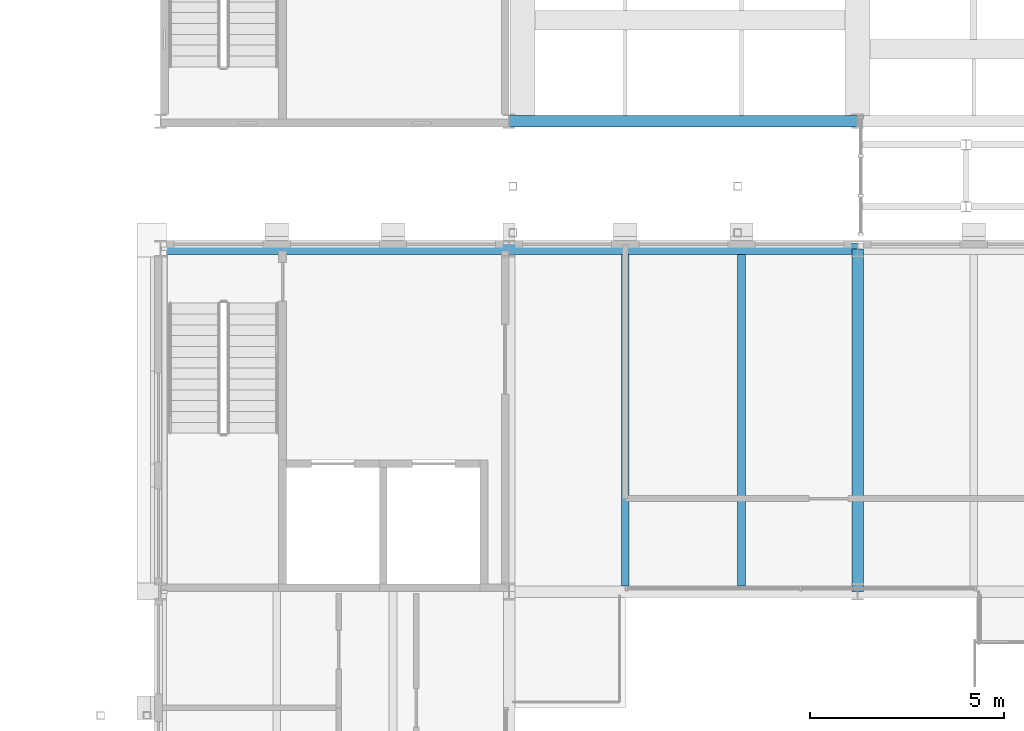
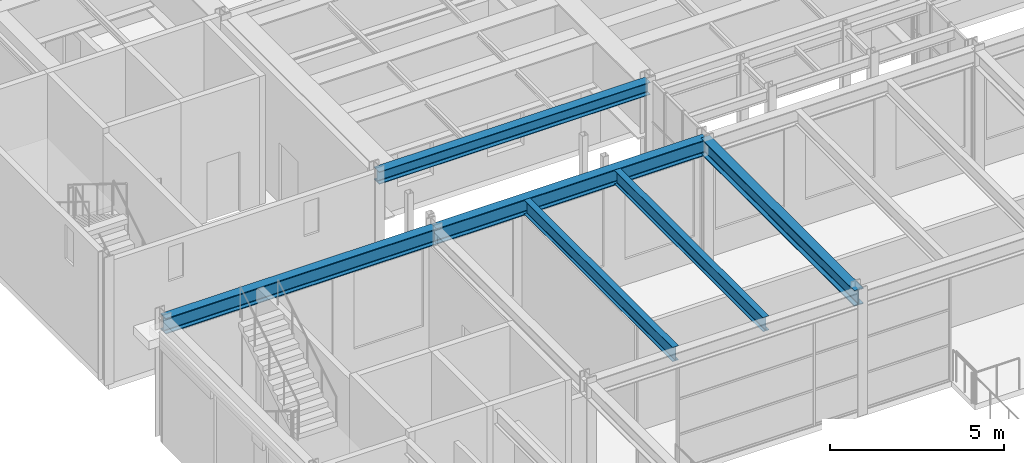
# One storey, part 60 of 153: 6 beams.
"""IFC4 building model written with IfcOpenShell, lengths in metres."""

from ifc_helpers import new_model, si_unit, direction, frame, origin, origin_2d, place, context, subcontext, project, spatial, i_section, extrude, material, material_profile, profile_set, type_object, element, save


model = new_model("IFC4")

# Units and contexts
model_context = context("Model", 3, precision=1e-05, world=origin(), true_north=direction((0.0, 1.0)))
body_context = subcontext(model_context, "Body", "Model", "MODEL_VIEW")
ifc_project = project(units=[si_unit("LENGTHUNIT", "METRE"), si_unit("AREAUNIT", "SQUARE_METRE"), si_unit("VOLUMEUNIT", "CUBIC_METRE"), si_unit("PLANEANGLEUNIT", "RADIAN"), si_unit("MASSUNIT", "GRAM", prefix="KILO")], contexts=[model_context])

# Site, building, storey
site_placement = place(None, origin())
site = spatial("IfcSite", under=ifc_project, at=site_placement, CompositionType="ELEMENT")
building_placement = place(site_placement, origin())
building = spatial("IfcBuilding", under=site, at=building_placement, Name="Kallimachos Central Library", CompositionType="ELEMENT")
storey_placement = place(building_placement, frame((0.0, 0.0, 5.39990234375)))
storey = spatial("IfcBuildingStorey", under=building, at=storey_placement, Name="L01", CompositionType="ELEMENT", Elevation=5.39990234375)

# Beams
ifc_material_1 = material(Name="Steel S355J2", Category="steel")
ifc_material_profile_1 = material_profile(ifc_material_1, i_section(OverallWidth=0.300048828125, OverallDepth=0.43994140625, WebThickness=0.011474609375, FlangeThickness=0.02099609375, FilletRadius=0.027099609375, at=origin_2d()), Name="HEA 450")
ifc_profile_set_1 = profile_set([ifc_material_profile_1], Name="Steel S355J2")
beam_type_1 = type_object("IfcBeamType", Name="HEA 450 beam", PredefinedType="BEAM", material=ifc_profile_set_1)
beam_1_placement = place(storey_placement, frame((74.5, 87.14990234375, 4.080078125), z_axis=(1.0, 0.0, 0.0), x_axis=(0.0, 1.0, 0.0)))
element("IfcBeam", 1, at=beam_1_placement, inside=storey, type_object=beam_type_1, Name="V1-BEM-L01-043", PredefinedType="BEAM", context=body_context, shape_type="SweptSolid", body=[
    extrude(i_section(OverallWidth=0.300048828125, OverallDepth=0.43994140625, WebThickness=0.011474609375, FlangeThickness=0.02099609375, FilletRadius=0.027099609375, at=origin_2d()), origin(), (0.0, 0.0, 1.0), 9.0),
])
ifc_material_2 = material(Name="Steel S355J2", Category="steel")
ifc_material_profile_2 = material_profile(ifc_material_2, i_section(OverallWidth=0.300048828125, OverallDepth=0.550048828125, WebThickness=0.014892578125, FlangeThickness=0.029052734375, FilletRadius=0.027099609375, at=origin_2d()), Name="HEB 550")
ifc_profile_set_2 = profile_set([ifc_material_profile_2], Name="Steel S355J2")
beam_type_2 = type_object("IfcBeamType", Name="HEB 550 beam", PredefinedType="BEAM", material=ifc_profile_set_2)
for number, where, z_axis, x_axis, name in (
    (2, (65.5, 83.85009765625, 4.025146484375), (1.0, 0.0, 0.0), (0.0, 1.0, 0.0), "V4-BEM-L01-004"),
    (3, (74.5, 83.85009765625, 4.025146484375), (1.0, 0.0, 0.0), (0.0, 1.0, 0.0), "V4-BEM-L01-005"),
):
    element("IfcBeam", number, at=place(storey_placement, frame(where, z_axis=z_axis, x_axis=x_axis)), inside=storey, type_object=beam_type_2, Name=name, PredefinedType="BEAM", context=body_context, shape_type="SweptSolid", body=[
        extrude(i_section(OverallWidth=0.300048828125, OverallDepth=0.550048828125, WebThickness=0.014892578125, FlangeThickness=0.029052734375, FilletRadius=0.027099609375, at=origin_2d()), origin(), (0.0, 0.0, 1.0), 9.0),
    ])
beam_2_placement = place(storey_placement, frame((83.5, 75.0, 4.025146484375), z_axis=(0.0, 1.0, 0.0), x_axis=(-1.0, 0.0, 0.0)))
element("IfcBeam", 4, at=beam_2_placement, inside=storey, type_object=beam_type_2, Name="V4-BEM-L01-011", PredefinedType="BEAM", context=body_context, shape_type="SweptSolid", body=[
    extrude(i_section(OverallWidth=0.300048828125, OverallDepth=0.550048828125, WebThickness=0.014892578125, FlangeThickness=0.029052734375, FilletRadius=0.027099609375, at=origin_2d()), origin(), (0.0, 0.0, 1.0), 8.85009765625),
])
ifc_material_3 = material(Name="Steel S355J2", Category="steel")
ifc_material_profile_3 = material_profile(ifc_material_3, i_section(OverallWidth=0.199951171875, OverallDepth=0.5, WebThickness=0.01025390625, FlangeThickness=0.01611328125, FilletRadius=0.02099609375, at=origin_2d()), Name="IPE 500")
ifc_profile_set_3 = profile_set([ifc_material_profile_3], Name="Steel S355J2")
beam_type_3 = type_object("IfcBeamType", Name="IPE 500 beam", PredefinedType="BEAM", material=ifc_profile_set_3)
for number, where, z_axis, x_axis, name in (
    (5, (77.5, 75.14990234375, 4.050048828125), (0.0, 1.0, 0.0), (-1.0, 0.0, 0.0), "V4-BEM-L01-015"),
    (6, (80.5, 75.14990234375, 4.050048828125), (0.0, 1.0, 0.0), (-1.0, 0.0, 0.0), "V4-BEM-L01-016"),
):
    element("IfcBeam", number, at=place(storey_placement, frame(where, z_axis=z_axis, x_axis=x_axis)), inside=storey, type_object=beam_type_3, Name=name, PredefinedType="BEAM", context=body_context, shape_type="SweptSolid", body=[
        extrude(i_section(OverallWidth=0.199951171875, OverallDepth=0.5, WebThickness=0.01025390625, FlangeThickness=0.01611328125, FilletRadius=0.02099609375, at=origin_2d()), origin(), (0.0, 0.0, 1.0), 8.550048828125),
    ])

save(model, "model.ifc")
